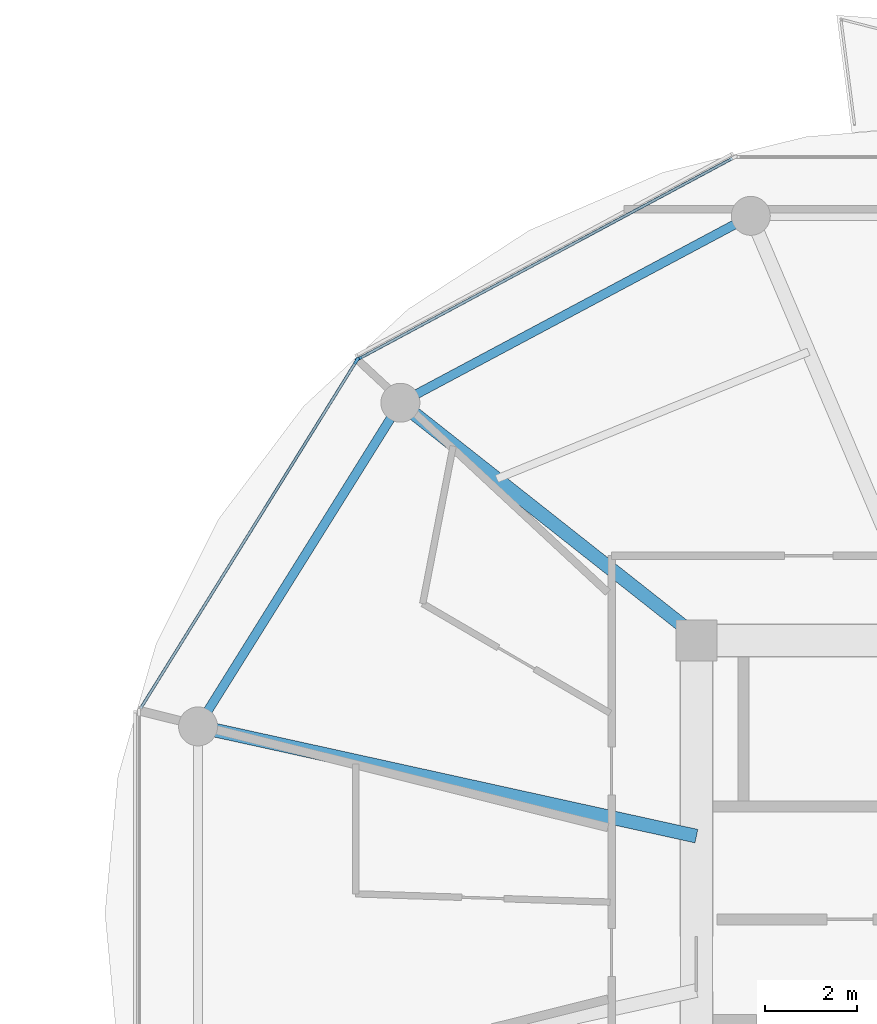
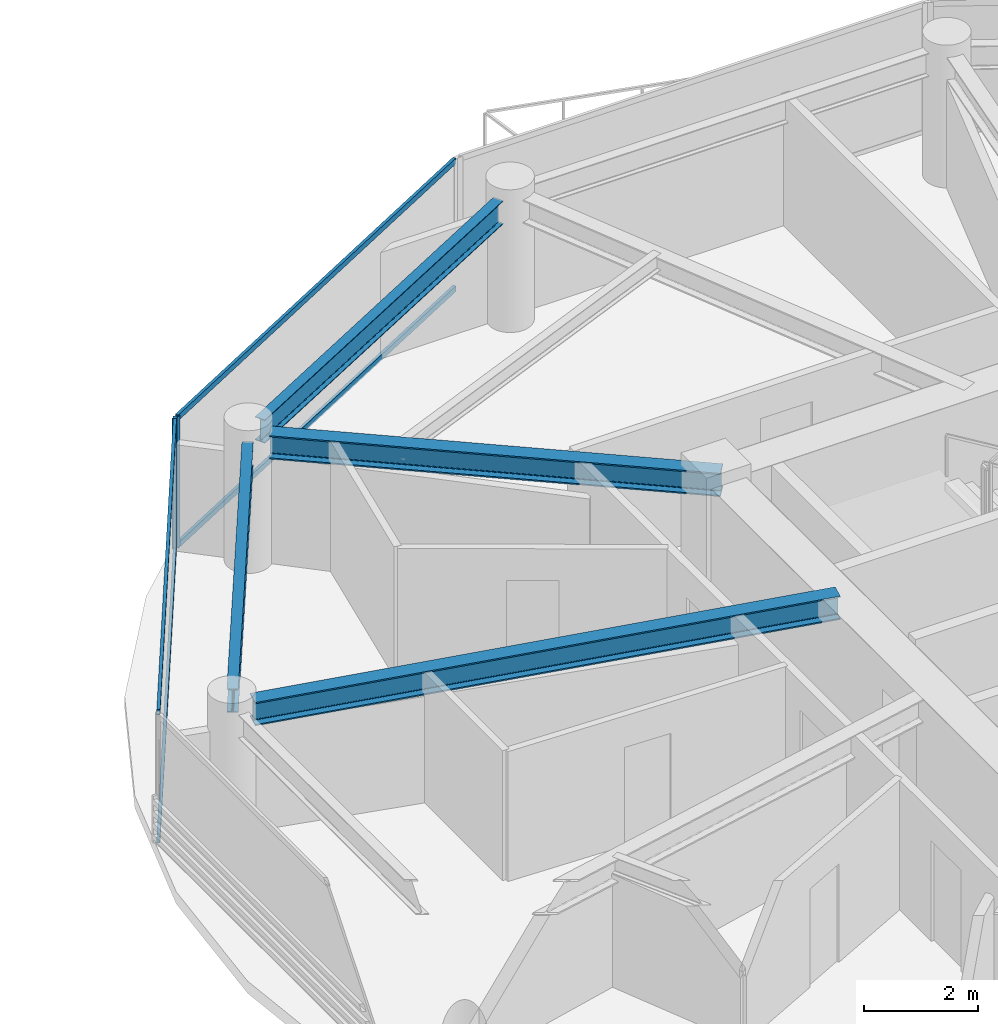
# One storey, part 8 of 24: 6 members, 4 beams, 2 elements without a shape of their own.
"""IFC4 building model written with IfcOpenShell, lengths in metres."""

from ifc_helpers import new_model, si_unit, direction, frame, origin, origin_2d, place, context, subcontext, project, spatial, rectangle, i_section, extrude, source, transform, mapped, material, layer, layer_set, material_profile, profile_set, type_object, type_shapes, element, aggregate, save


model = new_model("IFC4")

# Units and contexts
model_context = context("Model", 3, precision=1e-05, world=origin(), true_north=direction((0.0, 1.0)))
body_context = subcontext(model_context, "Body", "Model", "MODEL_VIEW")
ifc_project = project(units=[si_unit("LENGTHUNIT", "METRE"), si_unit("AREAUNIT", "SQUARE_METRE"), si_unit("VOLUMEUNIT", "CUBIC_METRE"), si_unit("PLANEANGLEUNIT", "RADIAN"), si_unit("MASSUNIT", "GRAM", prefix="KILO")], contexts=[model_context])

# Site, building, storey
site_placement = place(None, origin())
site = spatial("IfcSite", under=ifc_project, at=site_placement, CompositionType="ELEMENT")
building_placement = place(site_placement, origin())
building = spatial("IfcBuilding", under=site, at=building_placement, Name="Norrkilde Senior Care Towers", CompositionType="ELEMENT")
storey_placement = place(building_placement, frame((0.0, 0.0, 102.35009765625)))
storey = spatial("IfcBuildingStorey", under=building, at=storey_placement, Name="L31", CompositionType="ELEMENT", Elevation=102.35009765625)

# Beams
ifc_material_1 = material(Name="Steel S355", Category="steel")
ifc_material_profile_1 = material_profile(ifc_material_1, i_section(OverallWidth=0.199951171875, OverallDepth=0.5, WebThickness=0.01025390625, FlangeThickness=0.01611328125, FilletRadius=0.02099609375, at=origin_2d()), Name="IPE 500")
ifc_profile_set_1 = profile_set([ifc_material_profile_1], Name="Steel S355")
beam_type_1 = type_object("IfcBeamType", Name="Perimeter Ring Spandrel Z2 IPE500", PredefinedType="SPANDREL", material=ifc_profile_set_1)
shared_shape_1 = source(origin(), body_context, "Body", "SweptSolid", [
    extrude(i_section(OverallWidth=0.199951171875, OverallDepth=0.5, WebThickness=0.01025390625, FlangeThickness=0.01611328125, FilletRadius=0.02099609375, at=origin_2d()), origin(), (0.0, 0.0, 1.0), 7.55615234375),
])
beam_1_placement = place(storey_placement, frame((13.689697265625, 10.810546875, 2.539794921875), z_axis=(-0.529981514254, -0.848009194849, 0.0), x_axis=(0.848009194849, -0.529981514254, 0.0)))
element("IfcBeam", 1, at=beam_1_placement, inside=storey, type_object=beam_type_1, Name="L31 Drum E Perimeter Spandrel 05", PredefinedType="SPANDREL", context=body_context, shape_type="MappedRepresentation", body=[
    mapped(shared_shape_1, transform((0.0, 0.0, 0.0), x_axis=(1.0, 0.0, 0.0), y_axis=(0.0, 1.0, 0.0), z_axis=(0.0, 0.0, 1.0), scale=1.0)),
])
ifc_material_profile_2 = material_profile(ifc_material_1, i_section(OverallWidth=0.300048828125, OverallDepth=0.5, WebThickness=0.014404296875, FlangeThickness=0.028076171875, FilletRadius=0.027099609375, at=origin_2d()), Name="HEB 500")
ifc_profile_set_2 = profile_set([ifc_material_profile_2], Name="Steel S355")
beam_type_2 = type_object("IfcBeamType", Name="Radial Floor Beam Z2 HEB500", PredefinedType="BEAM", material=ifc_profile_set_2)
shared_shape_2 = source(origin(), body_context, "Body", "SweptSolid", [
    extrude(i_section(OverallWidth=0.300048828125, OverallDepth=0.5, WebThickness=0.014404296875, FlangeThickness=0.028076171875, FilletRadius=0.027099609375, at=origin_2d()), origin(), (0.0, 0.0, 1.0), 10.744384765625),
])
beam_2_placement = place(storey_placement, frame((20.35009765625, 1.683837890625, 2.539794921875), z_axis=(-0.976618711422, 0.214978818724, 0.0), x_axis=(-0.214978818724, -0.976618711422, 0.0)))
element("IfcBeam", 2, at=beam_2_placement, inside=storey, type_object=beam_type_2, Name="L31 Drum E Radial Floor Beam 06", PredefinedType="BEAM", context=body_context, shape_type="MappedRepresentation", body=[
    mapped(shared_shape_2, transform((0.0, 0.0, 0.0), x_axis=(1.0, 0.0, 0.0), y_axis=(0.0, 1.0, 0.0), z_axis=(0.0, 0.0, 1.0), scale=1.0)),
])
shared_shape_3 = source(origin(), body_context, "Body", "SweptSolid", [
    extrude(i_section(OverallWidth=0.199951171875, OverallDepth=0.5, WebThickness=0.01025390625, FlangeThickness=0.01611328125, FilletRadius=0.02099609375, at=origin_2d()), origin(), (0.0, 0.0, 1.0), 7.892333984375),
])
type_shapes(beam_type_1, [shared_shape_1, shared_shape_3])
beam_3_placement = place(storey_placement, frame((21.197509765625, 15.0322265625, 2.539794921875), z_axis=(-0.882350372282, -0.47059305194, 0.0), x_axis=(0.47059305194, -0.882350372282, 0.0)))
element("IfcBeam", 3, at=beam_3_placement, inside=storey, type_object=beam_type_1, Name="L31 Drum E Perimeter Spandrel 04", PredefinedType="SPANDREL", context=body_context, shape_type="MappedRepresentation", body=[
    mapped(shared_shape_3, transform((0.0, 0.0, 0.0), x_axis=(1.0, 0.0, 0.0), y_axis=(0.0, 1.0, 0.0), z_axis=(0.0, 0.0, 1.0), scale=1.0)),
])
shared_shape_4 = source(origin(), body_context, "Body", "SweptSolid", [
    extrude(i_section(OverallWidth=0.300048828125, OverallDepth=0.5, WebThickness=0.014404296875, FlangeThickness=0.028076171875, FilletRadius=0.027099609375, at=origin_2d()), origin(), (0.0, 0.0, 1.0), 7.985595703125),
])
type_shapes(beam_type_2, [shared_shape_2, shared_shape_4])
beam_4_placement = place(storey_placement, frame((20.463623046875, 5.949951171875, 2.539794921875), z_axis=(-0.784858505144, 0.619675017169, 0.0), x_axis=(-0.619675017169, -0.784858505144, 0.0)))
element("IfcBeam", 4, at=beam_4_placement, inside=storey, type_object=beam_type_2, Name="L31 Drum E Radial Floor Beam 05", PredefinedType="BEAM", context=body_context, shape_type="MappedRepresentation", body=[
    mapped(shared_shape_4, transform((0.0, 0.0, 0.0), x_axis=(1.0, 0.0, 0.0), y_axis=(0.0, 1.0, 0.0), z_axis=(0.0, 0.0, 1.0), scale=1.0)),
])

# Curtain wall, member
ifc_material_2 = material(Name="Triple Low-E Insulated Glazing", Category="glass")
ifc_layer = layer(ifc_material_2, 0.195068359375)
ifc_layer_set = layer_set([ifc_layer], Name="Triple Low-E Insulated Glazing")
curtain_wall_type = type_object("IfcCurtainWallType", Name="CW3 Zone 2 Assisted Living Curtain Wall", PredefinedType="NOTDEFINED", material=ifc_layer_set)
curtain_wall_1_placement = place(storey_placement, origin())
curtain_wall_1 = element("IfcCurtainWall", 5, at=curtain_wall_1_placement, inside=storey, type_object=curtain_wall_type, Name="L31 Drum E Curtain Wall 03", PredefinedType="NOTDEFINED")
ifc_material_3 = material(Name="Anodised Aluminium", Category="aluminium")
ifc_material_profile_3 = material_profile(ifc_material_3, rectangle(XDim=0.06494140625, YDim=0.159912109375, at=origin_2d()), Name="ALU MULL 65x160")
ifc_profile_set_3 = profile_set([ifc_material_profile_3], Name="Anodised Aluminium")
member_type_1 = type_object("IfcMemberType", Name="Curtain Wall Mullion Z1-Z2 65x160", PredefinedType="MULLION", material=ifc_profile_set_3)
shared_shape_5 = source(origin(), body_context, "Body", "SweptSolid", [
    extrude(rectangle(XDim=0.06494140625, YDim=0.159912109375, at=origin_2d()), origin(), (0.0, 0.0, 1.0), 2.789794921875),
])
type_shapes(member_type_1, [shared_shape_5])
member_1_placement = place(storey_placement, frame((12.98193359375, 12.0927734375, 0.0), z_axis=(0.0, 0.0, 1.0), x_axis=(-0.472769402511, 0.881186184668, 0.0)))
member_1 = element("IfcMember", 6, at=member_1_placement, type_object=member_type_1, Name="CW-3 mullion 1", PredefinedType="MULLION", context=body_context, shape_type="MappedRepresentation", body=[
    mapped(shared_shape_5, transform((0.0, 0.0, 0.0), x_axis=(1.0, 0.0, 0.0), y_axis=(0.0, 1.0, 0.0), z_axis=(0.0, 0.0, 1.0), scale=1.0)),
])

# Curtain wall, members
curtain_wall_2_placement = place(storey_placement, origin())
curtain_wall_2 = element("IfcCurtainWall", 7, at=curtain_wall_2_placement, inside=storey, type_object=curtain_wall_type, Name="L31 Drum E Curtain Wall 04", PredefinedType="NOTDEFINED")
member_2_placement = place(storey_placement, frame((12.936279296875, 12.0498046875, 0.0), z_axis=(0.0, 0.0, 1.0), x_axis=(-0.849410171862, 0.527733228002, 0.0)))
member_2 = element("IfcMember", 8, at=member_2_placement, type_object=member_type_1, Name="CW-3 mullion 2", PredefinedType="MULLION", context=body_context, shape_type="MappedRepresentation", body=[
    mapped(shared_shape_5, transform((0.0, 0.0, 0.0), x_axis=(1.0, 0.0, 0.0), y_axis=(0.0, 1.0, 0.0), z_axis=(0.0, 0.0, 1.0), scale=1.0)),
])
ifc_material_profile_4 = material_profile(ifc_material_3, rectangle(XDim=0.06005859375, YDim=0.1201171875, at=origin_2d()), Name="ALU TRAN 60x120")
ifc_profile_set_4 = profile_set([ifc_material_profile_4], Name="Anodised Aluminium")
member_type_2 = type_object("IfcMemberType", Name="Curtain Wall Transom Typical 60x120", PredefinedType="USERDEFINED", material=ifc_profile_set_4)
shared_shape_6 = source(origin(), body_context, "Body", "SweptSolid", [
    extrude(rectangle(XDim=0.06005859375, YDim=0.1201171875, at=origin_2d()), origin(), (0.0, 0.0, 1.0), 8.88427734375),
])
member_3_placement = place(storey_placement, frame((8.23046875, 4.475830078125, 0.02978515625), z_axis=(0.527749293309, 0.849400190377, 0.0), x_axis=(-0.849400190377, 0.527749293309, 0.0)))
member_3 = element("IfcMember", 9, at=member_3_placement, type_object=member_type_2, Name="CW-3 transom 1.1", ObjectType="TRANSOM", PredefinedType="USERDEFINED", context=body_context, shape_type="MappedRepresentation", body=[
    mapped(shared_shape_6, transform((0.0, 0.0, 0.0), x_axis=(1.0, 0.0, 0.0), y_axis=(0.0, 1.0, 0.0), z_axis=(0.0, 0.0, 1.0), scale=1.0)),
])
member_4_placement = place(storey_placement, frame((8.23046875, 4.475830078125, 2.760009765625), z_axis=(0.527749293309, 0.849400190377, 0.0), x_axis=(-0.849400190377, 0.527749293309, 0.0)))
member_4 = element("IfcMember", 10, at=member_4_placement, type_object=member_type_2, Name="CW-3 transom 1.2", ObjectType="TRANSOM", PredefinedType="USERDEFINED", context=body_context, shape_type="MappedRepresentation", body=[
    mapped(shared_shape_6, transform((0.0, 0.0, 0.0), x_axis=(1.0, 0.0, 0.0), y_axis=(0.0, 1.0, 0.0), z_axis=(0.0, 0.0, 1.0), scale=1.0)),
])
aggregate(curtain_wall_2, [member_2, member_3, member_4])

# Member
shared_shape_7 = source(origin(), body_context, "Body", "SweptSolid", [
    extrude(rectangle(XDim=0.06005859375, YDim=0.1201171875, at=origin_2d()), origin(), (0.0, 0.0, 1.0), 9.220458984375),
])
type_shapes(member_type_2, [shared_shape_6, shared_shape_7])
member_5_placement = place(storey_placement, frame((13.0107421875, 12.108154296875, 0.02978515625), z_axis=(0.881188517866, 0.472765053681, 0.0), x_axis=(-0.472765053681, 0.881188517866, 0.0)))
member_5 = element("IfcMember", 11, at=member_5_placement, type_object=member_type_2, Name="CW-3 transom 1.1", ObjectType="TRANSOM", PredefinedType="USERDEFINED", context=body_context, shape_type="MappedRepresentation", body=[
    mapped(shared_shape_7, transform((0.0, 0.0, 0.0), x_axis=(1.0, 0.0, 0.0), y_axis=(0.0, 1.0, 0.0), z_axis=(0.0, 0.0, 1.0), scale=1.0)),
])

member_6_placement = place(storey_placement, frame((13.0107421875, 12.108154296875, 2.760009765625), z_axis=(0.881188517866, 0.472765053681, 0.0), x_axis=(-0.472765053681, 0.881188517866, 0.0)))
member_6 = element("IfcMember", 12, at=member_6_placement, type_object=member_type_2, Name="CW-3 transom 1.2", ObjectType="TRANSOM", PredefinedType="USERDEFINED", context=body_context, shape_type="MappedRepresentation", body=[
    mapped(shared_shape_7, transform((0.0, 0.0, 0.0), x_axis=(1.0, 0.0, 0.0), y_axis=(0.0, 1.0, 0.0), z_axis=(0.0, 0.0, 1.0), scale=1.0)),
])

aggregate(curtain_wall_1, [member_1, member_5, member_6])

save(model, "model.ifc")
